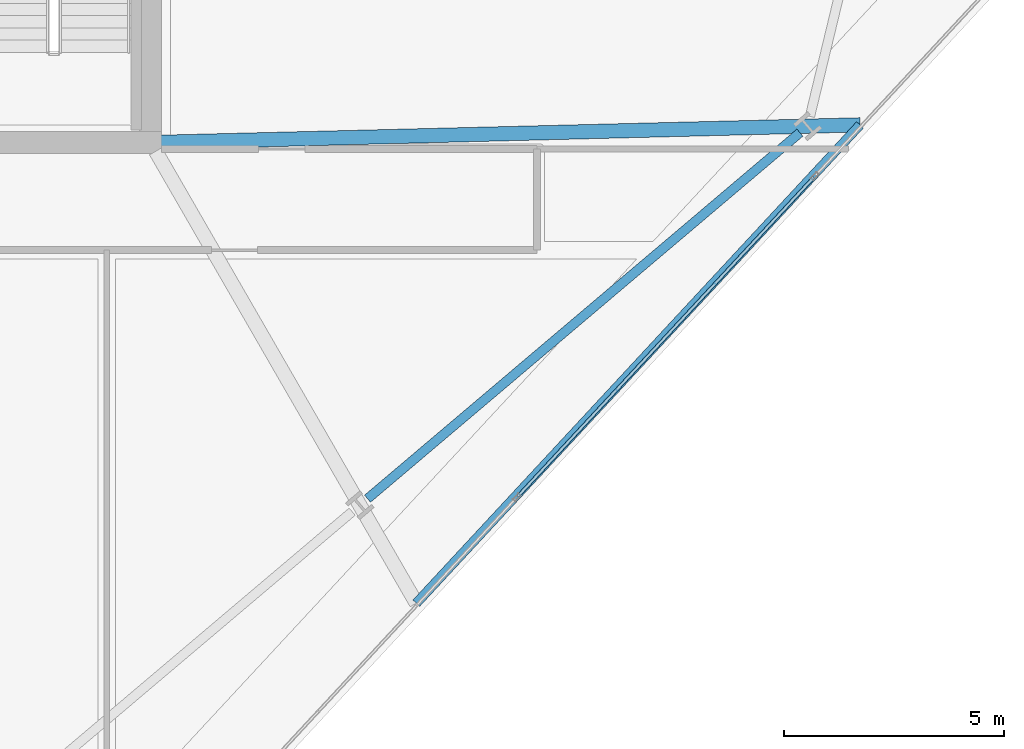
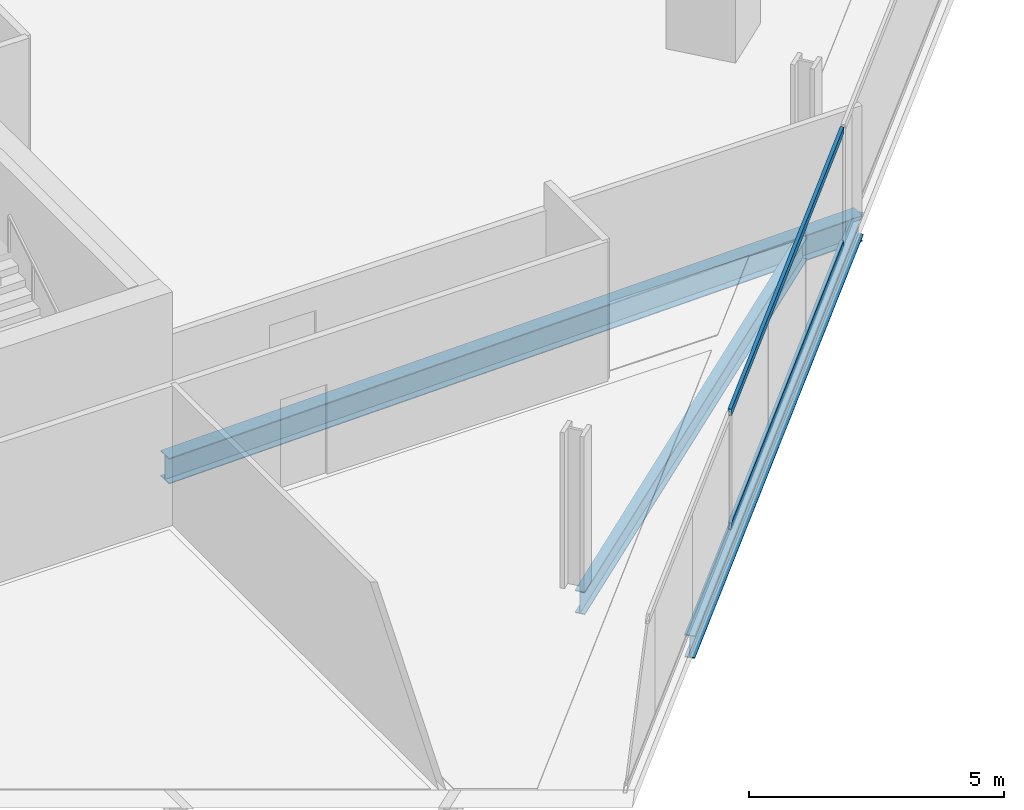
# One storey, part 9 of 32: 3 beams, 2 members, 1 element without a shape of its own.
"""IFC4 building model written with IfcOpenShell, lengths in metres."""

from ifc_helpers import new_model, si_unit, direction, frame, origin, origin_2d, place, context, subcontext, project, spatial, hollow_rectangle, i_section, extrude, material, material_profile, profile_set, type_object, element, aggregate, save


model = new_model("IFC4")

# Units and contexts
model_context = context("Model", 3, precision=1e-05, world=origin(), true_north=direction((0.0, 1.0)))
body_context = subcontext(model_context, "Body", "Model", "MODEL_VIEW")
ifc_project = project(units=[si_unit("LENGTHUNIT", "METRE"), si_unit("AREAUNIT", "SQUARE_METRE"), si_unit("VOLUMEUNIT", "CUBIC_METRE"), si_unit("PLANEANGLEUNIT", "RADIAN"), si_unit("MASSUNIT", "GRAM", prefix="KILO")], contexts=[model_context])

# Site, building, storey
site_placement = place(None, origin())
site = spatial("IfcSite", under=ifc_project, at=site_placement, CompositionType="ELEMENT")
building_placement = place(site_placement, origin())
building = spatial("IfcBuilding", under=site, at=building_placement, Name="Haldenkirk Collegiate Tower", CompositionType="ELEMENT")
storey_placement = place(building_placement, frame((0.0, 0.0, 185.699951171875)))
storey = spatial("IfcBuildingStorey", under=building, at=storey_placement, Name="L46", CompositionType="ELEMENT", Elevation=185.699951171875)

# Beams
ifc_material_1 = material(Name="Steel ASTM A992 Grade 50", Category="steel")
ifc_material_profile_1 = material_profile(ifc_material_1, i_section(OverallWidth=0.324951171875, OverallDepth=0.615966796875, WebThickness=0.013916015625, FlangeThickness=0.021484375, at=origin_2d()), Name="W24X117")
ifc_profile_set_1 = profile_set([ifc_material_profile_1], Name="Steel ASTM A992 Grade 50")
beam_type_1 = type_object("IfcBeamType", Name="BM-GIRDER-W24X117", PredefinedType="BEAM", material=ifc_profile_set_1)
beam_1_placement = place(storey_placement, frame((61.149658203125, 18.402587890625, -0.597900390625), z_axis=(-0.999689243536, -0.024928224117, 0.0), x_axis=(0.024928224117, -0.999689243536, 0.0)))
element("IfcBeam", 1, at=beam_1_placement, inside=storey, type_object=beam_type_1, Name="L46 primary floor girder 07", PredefinedType="BEAM", context=body_context, shape_type="SweptSolid", body=[
    extrude(i_section(OverallWidth=0.324951171875, OverallDepth=0.615966796875, WebThickness=0.013916015625, FlangeThickness=0.021484375, at=origin_2d()), origin(), (0.0, 0.0, 1.0), 15.924560546875),
])
ifc_material_profile_2 = material_profile(ifc_material_1, i_section(OverallWidth=0.2119140625, OverallDepth=0.5439453125, WebThickness=0.01318359375, FlangeThickness=0.021240234375, at=origin_2d()), Name="W21X83")
ifc_profile_set_2 = profile_set([ifc_material_profile_2], Name="Steel ASTM A992 Grade 50")
beam_type_2 = type_object("IfcBeamType", Name="BM-SPANDREL-W21X83", PredefinedType="SPANDREL", material=ifc_profile_set_2)
beam_2_placement = place(storey_placement, frame((49.937255859375, 9.89111328125, -0.56201171875), z_axis=(0.763233335078, 0.646122957514, 0.0), x_axis=(-0.646122957514, 0.763233335078, 0.0)))
element("IfcBeam", 2, at=beam_2_placement, inside=storey, type_object=beam_type_2, Name="L46 perimeter spandrel beam 03", PredefinedType="SPANDREL", context=body_context, shape_type="SweptSolid", body=[
    extrude(i_section(OverallWidth=0.2119140625, OverallDepth=0.5439453125, WebThickness=0.01318359375, FlangeThickness=0.021240234375, at=origin_2d()), origin(), (0.0, 0.0, 1.0), 12.898193359375),
])
beam_3_placement = place(storey_placement, frame((51.048583984375, 7.513427734375, -0.56201171875), z_axis=(0.680079032155, 0.733138806791, 0.0), x_axis=(-0.733138806791, 0.680079032155, 0.0)))
element("IfcBeam", 3, at=beam_3_placement, inside=storey, type_object=beam_type_2, Name="L46 outer facade edge beam 1", PredefinedType="SPANDREL", context=body_context, shape_type="SweptSolid", body=[
    extrude(i_section(OverallWidth=0.2119140625, OverallDepth=0.5439453125, WebThickness=0.01318359375, FlangeThickness=0.021240234375, at=origin_2d()), origin(), (0.0, 0.0, 1.0), 14.852783203125),
])

# Curtain wall, members
ifc_material_2 = material(Name="Anodised architectural bronze aluminium", Category="aluminium")
curtain_wall_type = type_object("IfcCurtainWallType", Name="CW-SYS2-CONCAVE", PredefinedType="USERDEFINED", material=ifc_material_2)
curtain_wall_placement = place(storey_placement, origin())
curtain_wall = element("IfcCurtainWall", 4, at=curtain_wall_placement, inside=storey, type_object=curtain_wall_type, Name="L46 South concave recessed bronze-anodised curtain wall", ObjectType="UNITISED CURTAIN WALL", PredefinedType="USERDEFINED")
ifc_material_profile_3 = material_profile(ifc_material_2, hollow_rectangle(XDim=0.074951171875, YDim=0.159912109375, WallThickness=0.0048828125, at=origin_2d()), Name="CW-TRN-02")
ifc_profile_set_3 = profile_set([ifc_material_profile_3], Name="Anodised architectural bronze aluminium")
member_type = type_object("IfcMemberType", Name="CW-TRN-02", PredefinedType="USERDEFINED", material=ifc_profile_set_3)
member_1_placement = place(storey_placement, frame((60.09326171875, 17.205078125, 0.03759765625), z_axis=(-0.680073596027, -0.73314384945, 0.0), x_axis=(0.73314384945, -0.680073596027, 0.0)))
member_1 = element("IfcMember", 5, at=member_1_placement, type_object=member_type, Name="CW-02 transom 2.1", ObjectType="TRANSOM", PredefinedType="USERDEFINED", context=body_context, shape_type="SweptSolid", body=[
    extrude(hollow_rectangle(XDim=0.074951171875, YDim=0.159912109375, WallThickness=0.0048828125, at=origin_2d()), origin(), (0.0, 0.0, 1.0), 9.89990234375),
])
member_2_placement = place(storey_placement, frame((60.09326171875, 17.205078125, 2.753662109375), z_axis=(-0.680073596027, -0.73314384945, 0.0), x_axis=(0.73314384945, -0.680073596027, 0.0)))
member_2 = element("IfcMember", 6, at=member_2_placement, type_object=member_type, Name="CW-02 transom 2.2", ObjectType="TRANSOM", PredefinedType="USERDEFINED", context=body_context, shape_type="SweptSolid", body=[
    extrude(hollow_rectangle(XDim=0.074951171875, YDim=0.159912109375, WallThickness=0.0048828125, at=origin_2d()), origin(), (0.0, 0.0, 1.0), 9.89990234375),
])
aggregate(curtain_wall, [member_1, member_2])

save(model, "model.ifc")
